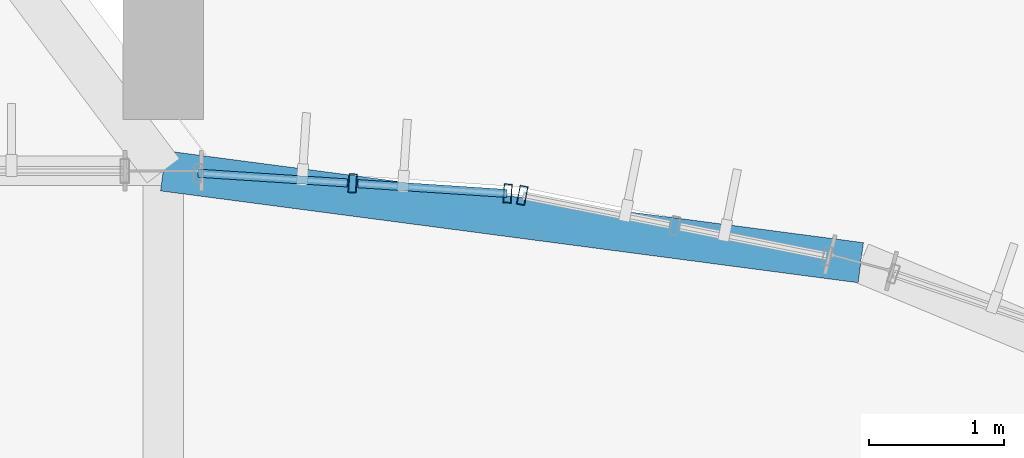
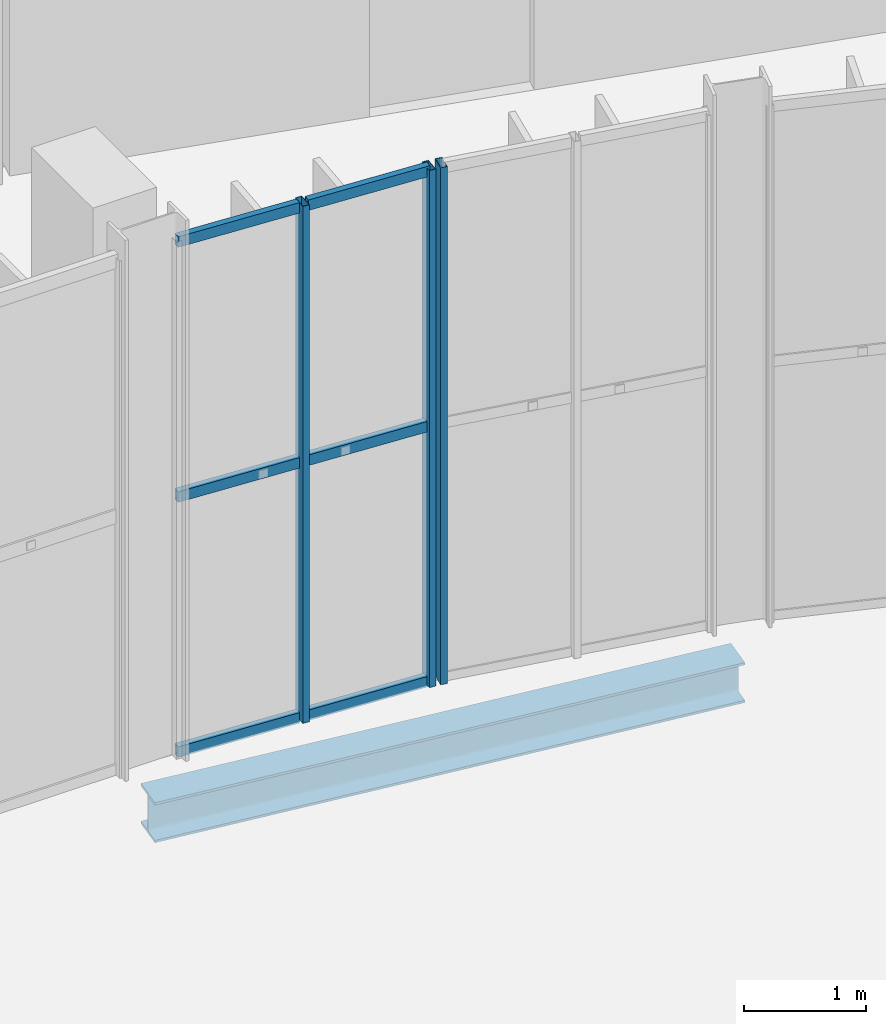
# One storey, part 69 of 158: 9 members, 1 beam, 2 elements without a shape of their own.
"""IFC4 building model written with IfcOpenShell, lengths in metres."""

from ifc_helpers import new_model, si_unit, derived_unit, direction, frame, origin, origin_2d, place, context, subcontext, project, spatial, hollow_rectangle, i_section, extrude, material, material_profile, profile_set, type_object, element, aggregate, save


model = new_model("IFC4")

# Units and contexts
model_context = context("Model", 3, precision=1e-05, world=origin(), true_north=direction((0.0, 1.0)))
body_context = subcontext(model_context, "Body", "Model", "MODEL_VIEW")
ifc_project = project(units=[si_unit("LENGTHUNIT", "METRE"), si_unit("AREAUNIT", "SQUARE_METRE"), si_unit("VOLUMEUNIT", "CUBIC_METRE"), si_unit("PLANEANGLEUNIT", "RADIAN"), si_unit("MASSUNIT", "GRAM", prefix="KILO"), si_unit("THERMODYNAMICTEMPERATUREUNIT", "KELVIN"), si_unit("TIMEUNIT", "SECOND"), derived_unit("THERMALTRANSMITTANCEUNIT", [(si_unit("MASSUNIT", "GRAM", prefix="KILO"), 1), (si_unit("THERMODYNAMICTEMPERATUREUNIT", "KELVIN"), -1), (si_unit("TIMEUNIT", "SECOND"), -3)])], contexts=[model_context])

# Site, building, storey
site_placement = place(None, origin())
site = spatial("IfcSite", under=ifc_project, at=site_placement, CompositionType="ELEMENT")
building_placement = place(site_placement, origin())
building = spatial("IfcBuilding", under=site, at=building_placement, Name="Cambertide Market Hall", CompositionType="ELEMENT")
storey_placement = place(building_placement, origin())
storey = spatial("IfcBuildingStorey", under=building, at=storey_placement, Name="L01", CompositionType="ELEMENT", Elevation=0.0)

# Curtain wall, member
ifc_material_1 = material(Name="Marine Anodized Aluminium 6063-T6 AA25", Category="aluminium")
curtain_wall_type = type_object("IfcCurtainWallType", Name="Lantern Apse Chord Lower Curtain Wall", PredefinedType="USERDEFINED", material=ifc_material_1)
curtain_wall_1_placement = place(storey_placement, origin())
curtain_wall_1 = element("IfcCurtainWall", 1, at=curtain_wall_1_placement, inside=storey, type_object=curtain_wall_type, Name="Level 1 Curtain Wall CW-V1AE-L01-23", ObjectType="UNITIZED CURTAIN WALL", PredefinedType="USERDEFINED")
ifc_material_2 = material(Name="Champagne Marine Anodized Aluminium 6063-T6 AA25", Category="aluminium")
ifc_material_profile_1 = material_profile(ifc_material_2, hollow_rectangle(XDim=0.06005859375, YDim=0.139892578125, WallThickness=0.00341796875, at=origin_2d()), Name="ALU MULLION 60x140")
ifc_profile_set_1 = profile_set([ifc_material_profile_1], Name="Champagne Marine Anodized Aluminium 6063-T6 AA25")
member_type_1 = type_object("IfcMemberType", Name="Curtain Wall Mullion ALU MULLION 60x140", PredefinedType="MULLION", material=ifc_profile_set_1)
member_1_placement = place(storey_placement, frame((107.66455078125, 91.818115234375, 0.0), z_axis=(0.0, 0.0, 1.0), x_axis=(0.980785330885, -0.195090068226, 0.0)))
member_1 = element("IfcMember", 2, at=member_1_placement, type_object=member_type_1, Name="CW-V1AE-L01-23 Mullion 1", PredefinedType="MULLION", context=body_context, shape_type="SweptSolid", body=[
    extrude(hollow_rectangle(XDim=0.06005859375, YDim=0.139892578125, WallThickness=0.00341796875, at=origin_2d()), origin(), (0.0, 0.0, 1.0), 5.159912109375),
])
aggregate(curtain_wall_1, [member_1])

# Curtain wall, members
curtain_wall_2_placement = place(storey_placement, origin())
curtain_wall_2 = element("IfcCurtainWall", 3, at=curtain_wall_2_placement, inside=storey, type_object=curtain_wall_type, Name="Level 1 Curtain Wall CW-V1AE-L01-24", ObjectType="UNITIZED CURTAIN WALL", PredefinedType="USERDEFINED")
member_2_placement = place(storey_placement, frame((106.405029296875, 91.907958984375, 0.0), z_axis=(0.0, 0.0, 1.0), x_axis=(0.997858917819, -0.065403211921, 0.0)))
member_2 = element("IfcMember", 4, at=member_2_placement, type_object=member_type_1, Name="CW-V1AE-L01-24 Mullion 2", PredefinedType="MULLION", context=body_context, shape_type="SweptSolid", body=[
    extrude(hollow_rectangle(XDim=0.06005859375, YDim=0.139892578125, WallThickness=0.00341796875, at=origin_2d()), origin(), (0.0, 0.0, 1.0), 5.159912109375),
])
member_3_placement = place(storey_placement, frame((107.5556640625, 91.83251953125, 0.0), z_axis=(0.0, 0.0, 1.0), x_axis=(0.997858917819, -0.065403211921, 0.0)))
member_3 = element("IfcMember", 5, at=member_3_placement, type_object=member_type_1, Name="CW-V1AE-L01-24 Mullion 3", PredefinedType="MULLION", context=body_context, shape_type="SweptSolid", body=[
    extrude(hollow_rectangle(XDim=0.06005859375, YDim=0.139892578125, WallThickness=0.00341796875, at=origin_2d()), origin(), (0.0, 0.0, 1.0), 5.159912109375),
])
ifc_material_3 = material(Name="Champagne Marine Anodized Aluminium 6063-T6 AA25", Category="aluminium")
ifc_material_profile_2 = material_profile(ifc_material_3, hollow_rectangle(XDim=0.06005859375, YDim=0.10498046875, WallThickness=0.0029296875, at=origin_2d()), Name="ALU TRANSOM 60x105")
ifc_profile_set_2 = profile_set([ifc_material_profile_2], Name="Champagne Marine Anodized Aluminium 6063-T6 AA25")
member_type_2 = type_object("IfcMemberType", Name="Curtain Wall Transom ALU TRANSOM 60x105", PredefinedType="USERDEFINED", material=ifc_profile_set_2)
member_4_placement = place(storey_placement, frame((105.259521484375, 91.98291015625, 0.034912109375), z_axis=(0.997871075842, -0.065217451634, 0.0), x_axis=(0.065217451634, 0.997871075842, 0.0)))
member_4 = element("IfcMember", 6, at=member_4_placement, type_object=member_type_2, Name="CW-V1AE-L01-24 Transom 1-1", ObjectType="TRANSOM", PredefinedType="USERDEFINED", context=body_context, shape_type="SweptSolid", body=[
    extrude(hollow_rectangle(XDim=0.06005859375, YDim=0.10498046875, WallThickness=0.0029296875, at=origin_2d()), origin(), (0.0, 0.0, 1.0), 1.108154296875),
])
member_5_placement = place(storey_placement, frame((106.445068359375, 91.9052734375, 0.034912109375), z_axis=(0.997855769469, -0.065451228695, 0.0), x_axis=(0.065451228695, 0.997855769469, 0.0)))
member_5 = element("IfcMember", 7, at=member_5_placement, type_object=member_type_2, Name="CW-V1AE-L01-24 Transom 1-2", ObjectType="TRANSOM", PredefinedType="USERDEFINED", context=body_context, shape_type="SweptSolid", body=[
    extrude(hollow_rectangle(XDim=0.06005859375, YDim=0.10498046875, WallThickness=0.0029296875, at=origin_2d()), origin(), (0.0, 0.0, 1.0), 1.10791015625),
])
member_6_placement = place(storey_placement, frame((105.259521484375, 91.98291015625, 2.580078125), z_axis=(0.997871075842, -0.065217451634, 0.0), x_axis=(0.065217451634, 0.997871075842, 0.0)))
member_6 = element("IfcMember", 8, at=member_6_placement, type_object=member_type_2, Name="CW-V1AE-L01-24 Transom 2-1", ObjectType="TRANSOM", PredefinedType="USERDEFINED", context=body_context, shape_type="SweptSolid", body=[
    extrude(hollow_rectangle(XDim=0.06005859375, YDim=0.10498046875, WallThickness=0.0029296875, at=origin_2d()), origin(), (0.0, 0.0, 1.0), 1.108154296875),
])
member_7_placement = place(storey_placement, frame((106.445068359375, 91.9052734375, 2.580078125), z_axis=(0.997855769469, -0.065451228695, 0.0), x_axis=(0.065451228695, 0.997855769469, 0.0)))
member_7 = element("IfcMember", 9, at=member_7_placement, type_object=member_type_2, Name="CW-V1AE-L01-24 Transom 2-2", ObjectType="TRANSOM", PredefinedType="USERDEFINED", context=body_context, shape_type="SweptSolid", body=[
    extrude(hollow_rectangle(XDim=0.06005859375, YDim=0.10498046875, WallThickness=0.0029296875, at=origin_2d()), origin(), (0.0, 0.0, 1.0), 1.10791015625),
])
member_8_placement = place(storey_placement, frame((105.259521484375, 91.98291015625, 5.125), z_axis=(0.997871075842, -0.065217451634, 0.0), x_axis=(0.065217451634, 0.997871075842, 0.0)))
member_8 = element("IfcMember", 10, at=member_8_placement, type_object=member_type_2, Name="CW-V1AE-L01-24 Transom 3-1", ObjectType="TRANSOM", PredefinedType="USERDEFINED", context=body_context, shape_type="SweptSolid", body=[
    extrude(hollow_rectangle(XDim=0.06005859375, YDim=0.10498046875, WallThickness=0.0029296875, at=origin_2d()), origin(), (0.0, 0.0, 1.0), 1.108154296875),
])
member_9_placement = place(storey_placement, frame((106.445068359375, 91.9052734375, 5.125), z_axis=(0.997855769469, -0.065451228695, 0.0), x_axis=(0.065451228695, 0.997855769469, 0.0)))
member_9 = element("IfcMember", 11, at=member_9_placement, type_object=member_type_2, Name="CW-V1AE-L01-24 Transom 3-2", ObjectType="TRANSOM", PredefinedType="USERDEFINED", context=body_context, shape_type="SweptSolid", body=[
    extrude(hollow_rectangle(XDim=0.06005859375, YDim=0.10498046875, WallThickness=0.0029296875, at=origin_2d()), origin(), (0.0, 0.0, 1.0), 1.10791015625),
])
aggregate(curtain_wall_2, [member_2, member_3, member_4, member_5, member_6, member_7, member_8, member_9])

# Beam
ifc_material_4 = material(Name="Steel S355", Category="steel")
ifc_material_profile_3 = material_profile(ifc_material_4, i_section(OverallWidth=0.300048828125, OverallDepth=0.39990234375, WebThickness=0.013427734375, FlangeThickness=0.02392578125, FilletRadius=0.027099609375, at=origin_2d()), Name="HEB 400")
ifc_profile_set_3 = profile_set([ifc_material_profile_3], Name="Steel S355")
beam_type = type_object("IfcBeamType", Name="Steel Girder HEB 400", PredefinedType="BEAM", material=ifc_profile_set_3)
beam_placement = place(storey_placement, frame((110.17626953125, 91.318603515625, -0.510009765625), z_axis=(-0.991446654043, 0.130512574825, 0.0), x_axis=(-0.130512574825, -0.991446654043, 0.0)))
element("IfcBeam", 12, at=beam_placement, inside=storey, type_object=beam_type, Name="Level 1 Beam BM-V1AE-L01-12", PredefinedType="BEAM", context=body_context, shape_type="SweptSolid", body=[
    extrude(i_section(OverallWidth=0.300048828125, OverallDepth=0.39990234375, WebThickness=0.013427734375, FlangeThickness=0.02392578125, FilletRadius=0.027099609375, at=origin_2d()), origin(), (0.0, 0.0, 1.0), 5.220947265625),
])

save(model, "model.ifc")
